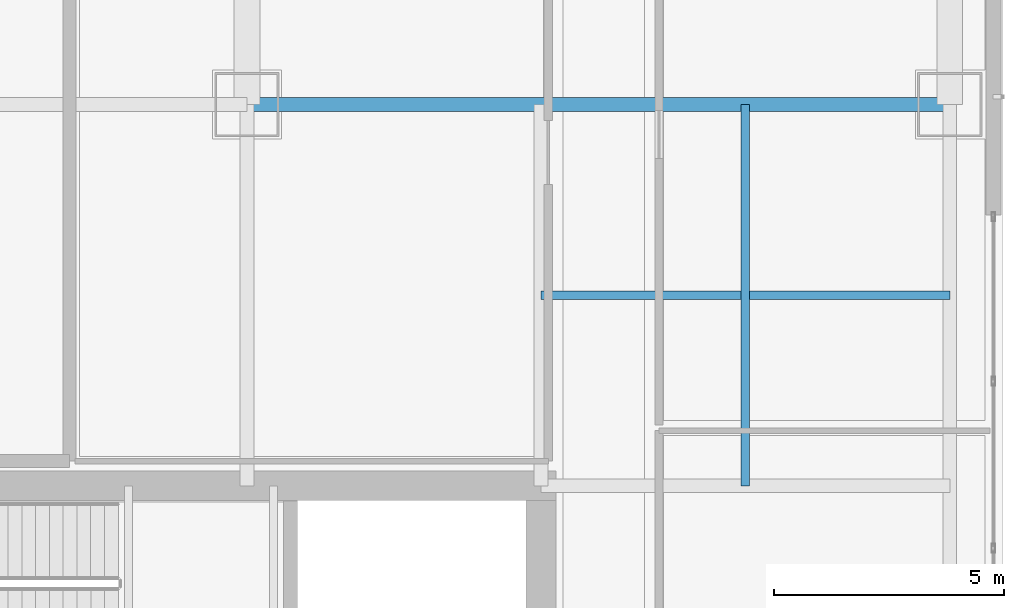
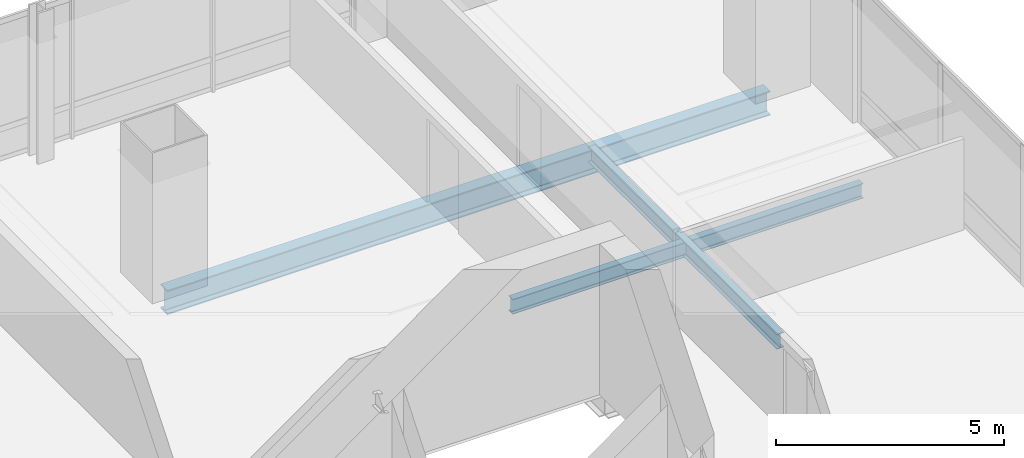
# One storey, part 26 of 47: 3 beams.
"""IFC4 building model written with IfcOpenShell, lengths in metres."""

from ifc_helpers import new_model, si_unit, direction, frame, origin, origin_2d, place, context, subcontext, project, spatial, i_section, extrude, material, material_profile, profile_set, type_object, element, save


model = new_model("IFC4")

# Units and contexts
model_context = context("Model", 3, precision=1e-05, world=origin(), true_north=direction((0.0, 1.0)))
body_context = subcontext(model_context, "Body", "Model", "MODEL_VIEW")
ifc_project = project(units=[si_unit("LENGTHUNIT", "METRE"), si_unit("AREAUNIT", "SQUARE_METRE"), si_unit("VOLUMEUNIT", "CUBIC_METRE"), si_unit("PLANEANGLEUNIT", "RADIAN"), si_unit("MASSUNIT", "GRAM", prefix="KILO")], contexts=[model_context])

# Site, building, storey
site_placement = place(None, origin())
site = spatial("IfcSite", under=ifc_project, at=site_placement, CompositionType="ELEMENT")
building_placement = place(site_placement, origin())
building = spatial("IfcBuilding", under=site, at=building_placement, Name="Punatoya Terracotta Tower", CompositionType="ELEMENT")
storey_placement = place(building_placement, frame((0.0, 0.0, 168.14990234375)))
storey = spatial("IfcBuildingStorey", under=building, at=storey_placement, Name="L39", CompositionType="ELEMENT", Elevation=168.14990234375)

# Beams
ifc_material = material(Name="Steel S355", Category="steel")
ifc_material_profile_1 = material_profile(ifc_material, i_section(OverallWidth=0.300048828125, OverallDepth=0.64990234375, WebThickness=0.01611328125, FlangeThickness=0.031005859375, FilletRadius=0.01806640625, at=origin_2d()))
ifc_profile_set_1 = profile_set([ifc_material_profile_1], Name="Steel S355")
beam_type_1 = type_object("IfcBeamType", Name="BM-PRI-650", PredefinedType="BEAM", material=ifc_profile_set_1)
beam_1_placement = place(storey_placement, frame((3.800048828125, 17.5, -0.544921875), z_axis=(1.0, 0.0, 0.0), x_axis=(0.0, 1.0, 0.0)))
element("IfcBeam", 1, at=beam_1_placement, inside=storey, type_object=beam_type_1, Name="BM-L39-RG-N3", PredefinedType="BEAM", context=body_context, shape_type="SweptSolid", body=[
    extrude(i_section(OverallWidth=0.300048828125, OverallDepth=0.64990234375, WebThickness=0.01611328125, FlangeThickness=0.031005859375, FilletRadius=0.01806640625, at=origin_2d()), origin(), (0.0, 0.0, 1.0), 15.300048828125),
])
ifc_material_profile_2 = material_profile(ifc_material, i_section(OverallWidth=0.179931640625, OverallDepth=0.39990234375, WebThickness=0.008544921875, FlangeThickness=0.013427734375, FilletRadius=0.01806640625, at=origin_2d()))
ifc_profile_set_2 = profile_set([ifc_material_profile_2], Name="Steel S355")
beam_type_2 = type_object("IfcBeamType", Name="BM-SEC-400", PredefinedType="JOIST", material=ifc_profile_set_2)
beam_2_placement = place(storey_placement, frame((10.199951171875, 13.35009765625, -0.419921875), z_axis=(1.0, 0.0, 0.0), x_axis=(0.0, 1.0, 0.0)))
element("IfcBeam", 2, at=beam_2_placement, inside=storey, type_object=beam_type_2, Name="BM-L39-SJN-2", PredefinedType="JOIST", context=body_context, shape_type="SweptSolid", body=[
    extrude(i_section(OverallWidth=0.179931640625, OverallDepth=0.39990234375, WebThickness=0.008544921875, FlangeThickness=0.013427734375, FilletRadius=0.01806640625, at=origin_2d()), origin(), (0.0, 0.0, 1.0), 8.900146484375),
])
beam_3_placement = place(storey_placement, frame((14.64990234375, 9.199951171875, -0.419921875), z_axis=(0.0, 1.0, 0.0), x_axis=(-1.0, 0.0, 0.0)))
element("IfcBeam", 3, at=beam_3_placement, inside=storey, type_object=beam_type_2, Name="BM-L39-SJE-2", PredefinedType="JOIST", context=body_context, shape_type="SweptSolid", body=[
    extrude(i_section(OverallWidth=0.179931640625, OverallDepth=0.39990234375, WebThickness=0.008544921875, FlangeThickness=0.013427734375, FilletRadius=0.01806640625, at=origin_2d()), origin(), (0.0, 0.0, 1.0), 8.300048828125),
])

save(model, "model.ifc")
